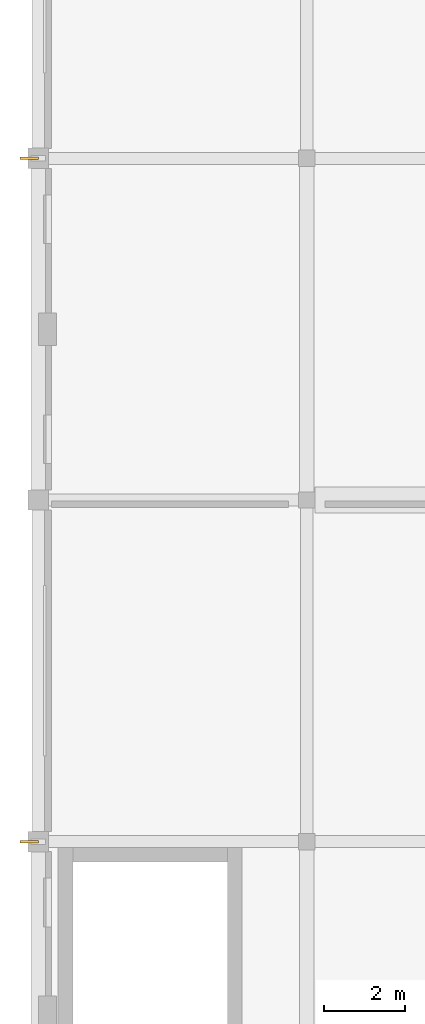
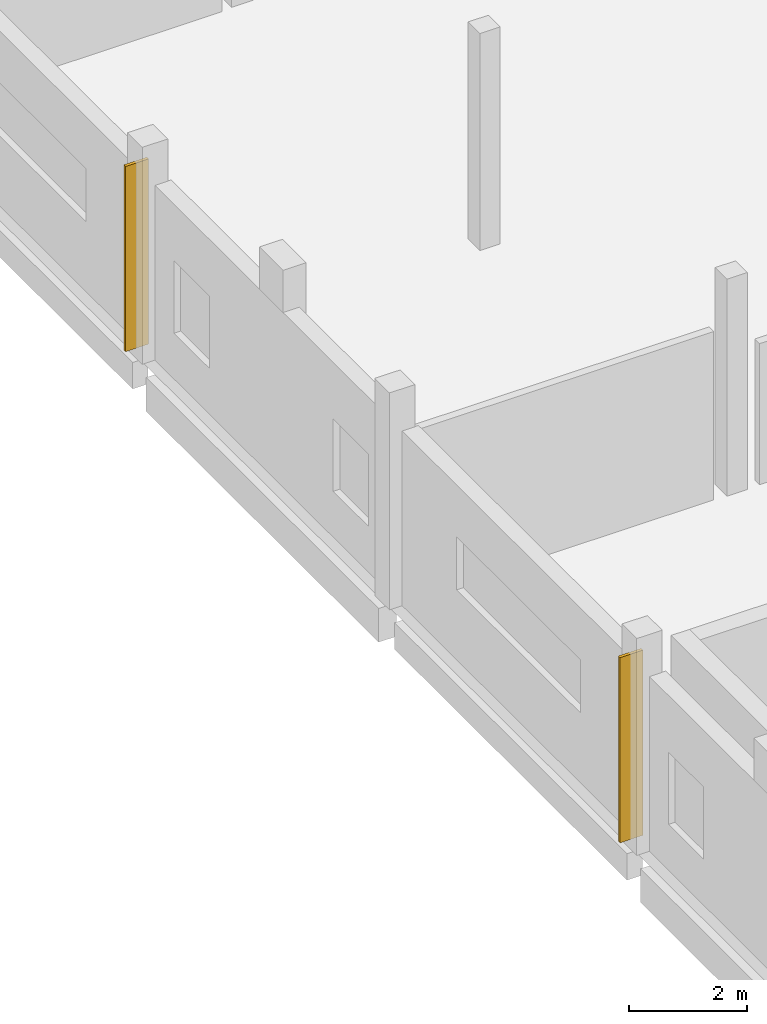
# One storey, part 65 of 76: 2 shading devices.
"""IFC4 building model written with IfcOpenShell, lengths in metres."""

from ifc_helpers import new_model, si_unit, direction, frame, origin, origin_2d, place, context, subcontext, project, spatial, rectangle, extrude, material, layer, layer_set, type_object, element, save


model = new_model("IFC4")

# Units and contexts
model_context = context("Model", 3, precision=1e-05, world=origin(), true_north=direction((0.0, 1.0)))
body_context = subcontext(model_context, "Body", "Model", "MODEL_VIEW")
ifc_project = project(units=[si_unit("LENGTHUNIT", "METRE"), si_unit("AREAUNIT", "SQUARE_METRE"), si_unit("VOLUMEUNIT", "CUBIC_METRE"), si_unit("PLANEANGLEUNIT", "RADIAN"), si_unit("MASSUNIT", "GRAM", prefix="KILO")], contexts=[model_context])

# Site, building, storey
site_placement = place(None, origin())
site = spatial("IfcSite", under=ifc_project, at=site_placement, CompositionType="ELEMENT")
building_placement = place(site_placement, origin())
building = spatial("IfcBuilding", under=site, at=building_placement, Name="Qaldarim Faculty of Natural and Applied Sciences", CompositionType="ELEMENT")
storey_placement = place(building_placement, frame((0.0, 0.0, 9.89990234375)))
storey = spatial("IfcBuildingStorey", under=building, at=storey_placement, Name="L02", CompositionType="ELEMENT", Elevation=9.89990234375)

# Shading devices
ifc_material = material(Name="Champagne anodised aluminium AW-6063", Category="aluminium")
ifc_layer = layer(ifc_material, 0.06005859375)
ifc_layer_set = layer_set([ifc_layer], Name="Champagne anodised aluminium AW-6063")
shading_device_type = type_object("IfcShadingDeviceType", Name="VerticalSunFin-ALU450x60", PredefinedType="SHUTTER", material=ifc_layer_set)
for number, where, z_axis, x_axis, name in (
    (1, (-0.22509765625, 25.199951171875, 0.2001953125), (0.0, 0.0, 1.0), (1.0, 0.0, 0.0), "Vertical solar fin FIN-L02-X01Y04"),
    (2, (-0.22509765625, 42.0, 0.2001953125), (0.0, 0.0, 1.0), (1.0, 0.0, 0.0), "Vertical solar fin FIN-L02-X01Y06"),
):
    element("IfcShadingDevice", number, at=place(storey_placement, frame(where, z_axis=z_axis, x_axis=x_axis)), inside=storey, type_object=shading_device_type, Name=name, PredefinedType="SHUTTER", context=body_context, shape_type="SweptSolid", body=[
        extrude(rectangle(XDim=0.449951171875, YDim=0.06005859375, at=origin_2d()), origin(), (0.0, 0.0, 1.0), 3.840087890625),
    ])

save(model, "model.ifc")
